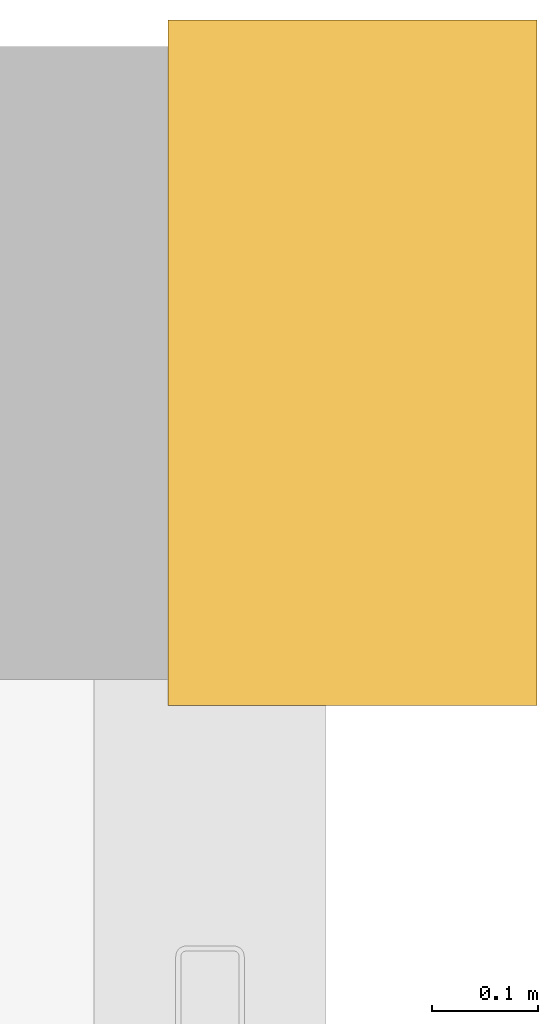
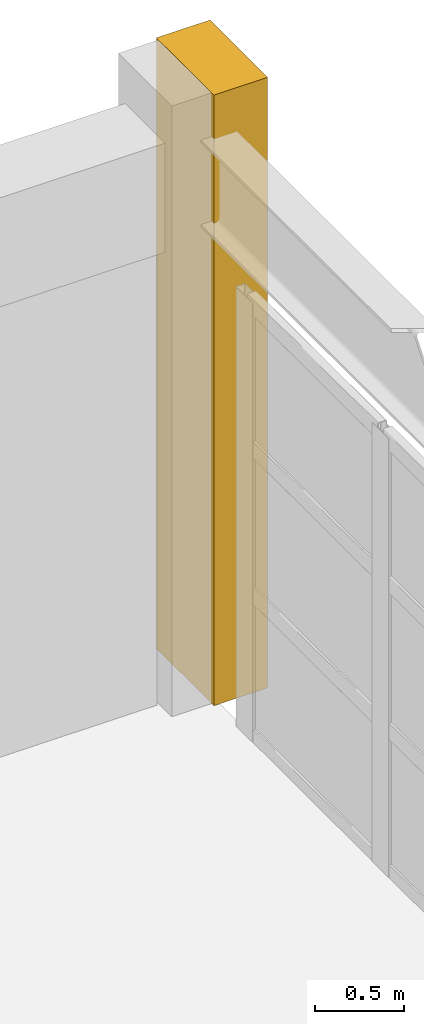
# One storey, part 124 of 124: 1 covering.
"""IFC4 building model written with IfcOpenShell, lengths in metres."""

from ifc_helpers import new_model, si_unit, direction, frame, origin, origin_2d, place, context, subcontext, project, spatial, rectangle, extrude, material, layer, layer_set, type_object, element, save


model = new_model("IFC4")

# Units and contexts
model_context = context("Model", 3, precision=1e-05, world=origin(), true_north=direction((0.0, 1.0)))
body_context = subcontext(model_context, "Body", "Model", "MODEL_VIEW")
ifc_project = project(units=[si_unit("LENGTHUNIT", "METRE"), si_unit("AREAUNIT", "SQUARE_METRE"), si_unit("VOLUMEUNIT", "CUBIC_METRE"), si_unit("PLANEANGLEUNIT", "RADIAN"), si_unit("MASSUNIT", "GRAM", prefix="KILO")], contexts=[model_context])

# Site, building, storey
site_placement = place(None, origin())
site = spatial("IfcSite", under=ifc_project, at=site_placement, CompositionType="ELEMENT")
building_placement = place(site_placement, origin())
building = spatial("IfcBuilding", under=site, at=building_placement, Name="Qasida Concert Hall", CompositionType="ELEMENT")
storey_placement = place(building_placement, frame((0.0, 0.0, 9.0)))
storey = spatial("IfcBuildingStorey", under=building, at=storey_placement, Name="L02", CompositionType="ELEMENT", Elevation=9.0)

# Covering
ifc_material = material(Name="Projecting fluted Lebanese limestone Art Deco pilaster", Category="masonry")
ifc_layer = layer(ifc_material, 0.35009765625, Name="Projecting fluted Lebanese limestone Art Deco pilaster")
ifc_layer_set = layer_set([ifc_layer], Name="Projecting fluted Lebanese limestone Art Deco pilaster")
covering_type = type_object("IfcCoveringType", Name="CV-PIL-650", PredefinedType="CLADDING", material=ifc_layer_set)
covering_placement = place(storey_placement, frame((165.135009765625, 112.5, 0.0), z_axis=(0.0, 0.0, 1.0), x_axis=(1.0, 0.0, 0.0)))
element("IfcCovering", 1, at=covering_placement, inside=storey, type_object=covering_type, Name="L02 fluted limestone pilaster 0262", PredefinedType="CLADDING", context=body_context, shape_type="SweptSolid", body=[
    extrude(rectangle(XDim=0.35009765625, YDim=0.64990234375, at=origin_2d()), origin(), (0.0, 0.0, 1.0), 4.199951171875),
])

save(model, "model.ifc")
